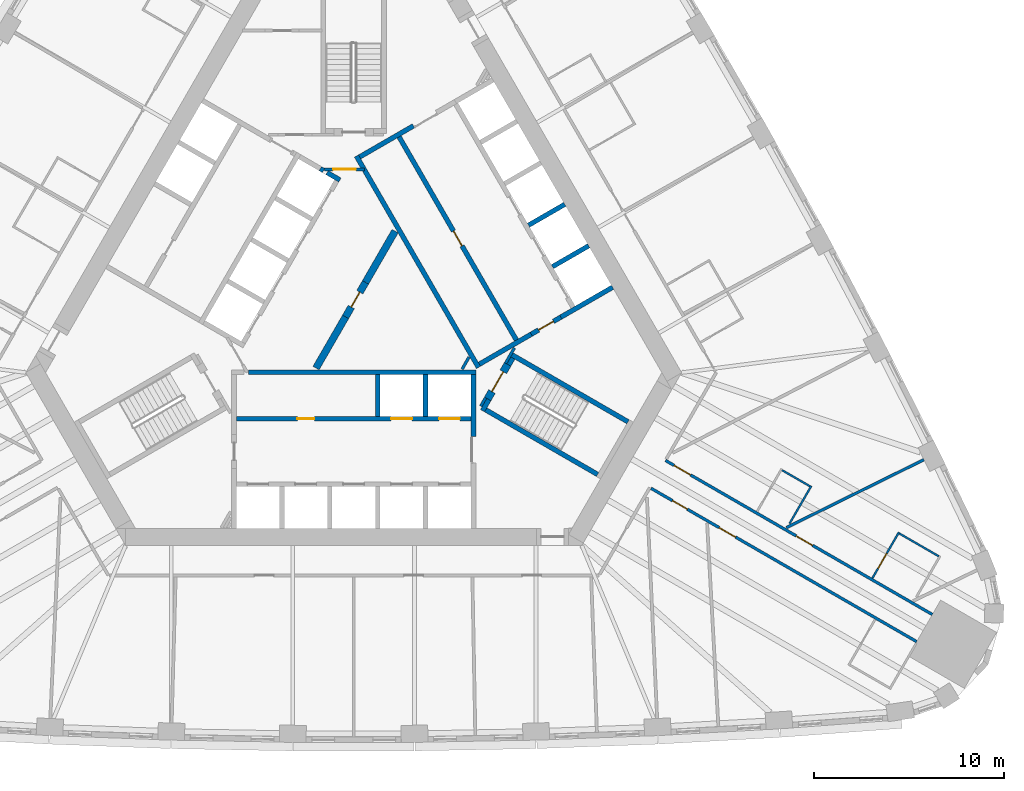
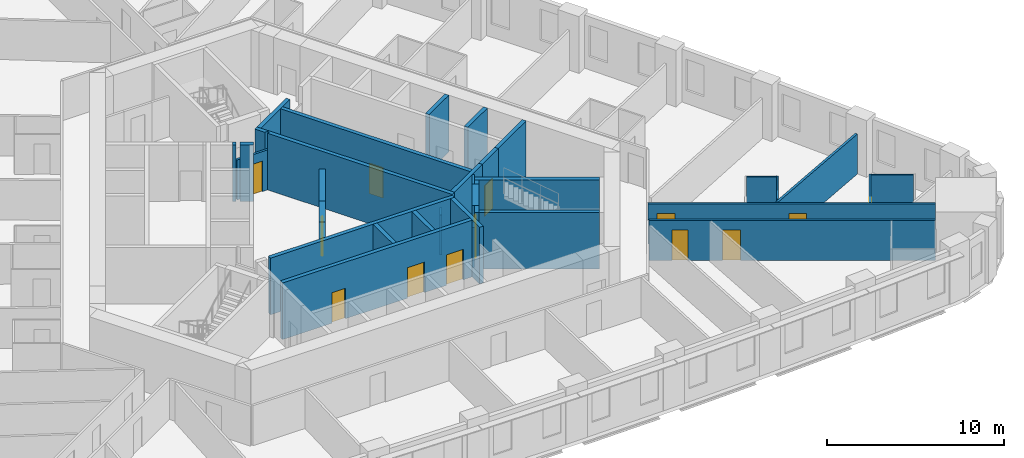
# One storey, part 7 of 12: 34 walls, 13 doors, 13 openings.
"""IFC4 building model written with IfcOpenShell, lengths in metres."""

import ifcopenshell
import ifcopenshell.guid

model = None  # the IFC model being written
_history = None  # IfcOwnerHistory: only IFC2X3 demands one
_inside = {}  # id of a spatial element -> (the spatial element, [elements in it])
_under = {}  # id of a project, library or spatial element -> (it, [spatial elements below it])
_declared = {}  # id of a project -> (the project, [libraries it declares])
_typed = {}  # id of a type object -> (the type object, [elements of that type])
_made_of = {}  # id of a material, layer set ... -> (it, [elements and type objects made of it])


def new_model(schema):
    """Start an empty IFC model of exactly this schema.

    Asked for "IFC4X3", IfcOpenShell would pick the latest addendum, in which some entities
    have other attributes; the version numbers below select the first issue.
    IFC2X3 requires an IfcOwnerHistory on every rooted entity: one is made here for all.
    """
    global model, _history
    if schema == "IFC4X3":
        model = ifcopenshell.file(schema_version=(4, 3, 0, 0))
    else:
        model = ifcopenshell.file(schema=schema)
    _inside.clear()
    _under.clear()
    _declared.clear()
    _typed.clear()
    _made_of.clear()
    _history = None
    if model.schema == "IFC2X3":
        org = make("IfcOrganization", Name="unknown")
        user = make(
            "IfcPersonAndOrganization",
            ThePerson=make("IfcPerson", FamilyName="unknown"),
            TheOrganization=org,
        )
        app = make(
            "IfcApplication",
            ApplicationDeveloper=org,
            Version="unknown",
            ApplicationFullName="unknown",
            ApplicationIdentifier="unknown",
        )
        _history = make(
            "IfcOwnerHistory",
            OwningUser=user,
            OwningApplication=app,
            ChangeAction="ADDED",
            CreationDate=0,
        )
    return model


def make(cls, **values):
    """One entity of the class cls with the attributes given. An attribute that is None is left unset."""
    return model.create_entity(
        cls, **{name: value for name, value in values.items() if value is not None}
    )


def rooted(cls, **values):
    """An entity with a GlobalId (a new one), such as an element, a storey or a relation."""
    return make(cls, GlobalId=ifcopenshell.guid.new(), OwnerHistory=_history, **values)


def si_unit(unit_type, name, prefix=None):
    """IfcSIUnit, for example si_unit("LENGTHUNIT", "METRE", prefix="MILLI")."""
    return make("IfcSIUnit", UnitType=unit_type, Prefix=prefix, Name=name)


def assignment(units):
    """IfcUnitAssignment: the units of a project."""
    return None if units is None else make("IfcUnitAssignment", Units=units)


def point(xyz):
    """IfcCartesianPoint."""
    return None if xyz is None else make("IfcCartesianPoint", Coordinates=xyz)


def direction(xyz):
    """IfcDirection."""
    return None if xyz is None else make("IfcDirection", DirectionRatios=xyz)


def frame(location, z_axis=None, x_axis=None):
    """IfcAxis2Placement3D, a coordinate frame: its origin and axes. An axis left out is left unset."""
    return make(
        "IfcAxis2Placement3D",
        Location=point(location),
        Axis=direction(z_axis),
        RefDirection=direction(x_axis),
    )


def frame_2d(location, x_axis=None):
    """IfcAxis2Placement2D, a coordinate frame in the plane: its origin and x axis."""
    return make(
        "IfcAxis2Placement2D", Location=point(location), RefDirection=direction(x_axis)
    )


def origin():
    """The frame at (0, 0, 0) with its axes left unset."""
    return frame((0.0, 0.0, 0.0))


def place(relative_to, where):
    """IfcLocalPlacement: puts the frame where relative to a parent placement (None: the world)."""
    return make(
        "IfcLocalPlacement", PlacementRelTo=relative_to, RelativePlacement=where
    )


def context(
    kind, dimensions, precision=None, world=None, true_north=None, identifier=None
):
    """IfcGeometricRepresentationContext, for example the 3D "Model" context."""
    return make(
        "IfcGeometricRepresentationContext",
        ContextIdentifier=identifier,
        ContextType=kind,
        CoordinateSpaceDimension=dimensions,
        Precision=precision,
        WorldCoordinateSystem=world,
        TrueNorth=true_north,
    )


def subcontext(parent, identifier, kind, view, scale=None):
    """IfcGeometricRepresentationSubContext, for example "Body" below "Model"."""
    return make(
        "IfcGeometricRepresentationSubContext",
        ContextIdentifier=identifier,
        ContextType=kind,
        ParentContext=parent,
        TargetScale=scale,
        TargetView=view,
    )


def project(units=None, contexts=None):
    """IfcProject with its units and contexts."""
    return rooted(
        "IfcProject",
        Name="project",
        RepresentationContexts=contexts,
        UnitsInContext=assignment(units),
    )


def spatial(cls, under=None, at=None, **own):
    """A site, building, storey or space (cls), placed at a placement, below another one or the project."""
    s = rooted(cls, ObjectPlacement=at, **own)
    if under is not None:
        _under.setdefault(under.id(), (under, []))[1].append(s)
    return s


def polyline(points):
    """IfcPolyline through the points."""
    return make("IfcPolyline", Points=[point(p) for p in points])


def profile(cls, at=None, kind="AREA", **sizes):
    """A parametric profile (cls). Its sizes go by their IFC names, for example OverallWidth=200.0."""
    return make(cls, ProfileType=kind, Position=at, **sizes)


def rectangle(**sizes):
    """IfcRectangleProfileDef."""
    return profile("IfcRectangleProfileDef", **sizes)


def outline(outer, holes=None, kind="AREA"):
    """IfcArbitraryClosedProfileDef: a profile drawn as a closed curve; with holes, ...WithVoids."""
    if holes is None:
        return make("IfcArbitraryClosedProfileDef", ProfileType=kind, OuterCurve=outer)
    return make(
        "IfcArbitraryProfileDefWithVoids",
        ProfileType=kind,
        OuterCurve=outer,
        InnerCurves=holes,
    )


def extrude(swept, where, along, depth):
    """IfcExtrudedAreaSolid: the profile swept, set in the frame where, extruded along a direction by depth."""
    return make(
        "IfcExtrudedAreaSolid",
        SweptArea=swept,
        Position=where,
        ExtrudedDirection=direction(along),
        Depth=depth,
    )


def shape(context_of_items, identifier, shape_type, items):
    """IfcShapeRepresentation: the items that make up one representation, for example the "Body"."""
    return make(
        "IfcShapeRepresentation",
        ContextOfItems=context_of_items,
        RepresentationIdentifier=identifier,
        RepresentationType=shape_type,
        Items=items,
    )


def material(Name=None, Category=None):
    """IfcMaterial."""
    return make("IfcMaterial", Name=Name, Category=Category)


def layer(
    of_material, thickness, ventilated=None, Name=None, Category=None, Priority=None
):
    """IfcMaterialLayer: one layer of a wall or slab, of a material (None: an air gap)."""
    return make(
        "IfcMaterialLayer",
        Material=of_material,
        LayerThickness=thickness,
        IsVentilated=ventilated,
        Name=Name,
        Category=Category,
        Priority=Priority,
    )


def layer_set(layers, Name=None):
    """IfcMaterialLayerSet."""
    return make("IfcMaterialLayerSet", MaterialLayers=layers, LayerSetName=Name)


def made_of(thing, what):
    """Note that an element or type object is made of a material, layer set ...; save() writes the relation."""
    if what is not None:
        _made_of.setdefault(what.id(), (what, []))[1].append(thing)
    return thing


def type_object(cls, material=None, **own):
    """A type object (cls), such as IfcWallType, which elements share."""
    return made_of(rooted(cls, **own), material)


def element(
    cls,
    number,
    at=None,
    inside=None,
    cuts=None,
    type_object=None,
    material=None,
    context=None,
    identifier="Body",
    shape_type=None,
    held_by="IfcProductDefinitionShape",
    body=None,
    shapes=None,
    **own,
):
    """One element of the class cls, such as IfcWall. Its Tag is "e" and its number.

    at: its placement. inside: the storey or other place that contains it. cuts: it is an
    opening in that element (IfcRelVoidsElement). A single representation is given by context,
    identifier, shape_type and body (its items); several are given by shapes. held_by: the class
    of the entity that holds the representations. save() writes the other relations.
    """
    e = rooted(cls, Tag="e%d" % number, ObjectPlacement=at, **own)
    if body is not None:
        shapes = [shape(context, identifier, shape_type, body)]
    if shapes is not None:
        e.Representation = make(held_by, Representations=shapes)
    if inside is not None:
        _inside.setdefault(inside.id(), (inside, []))[1].append(e)
    if cuts is not None:
        rooted(
            "IfcRelVoidsElement", RelatingBuildingElement=cuts, RelatedOpeningElement=e
        )
    if type_object is not None:
        _typed.setdefault(type_object.id(), (type_object, []))[1].append(e)
    return made_of(e, material)


def fill(opening, filler):
    """IfcRelFillsElement: the door or window that sits in an opening."""
    return rooted(
        "IfcRelFillsElement",
        RelatingOpeningElement=opening,
        RelatedBuildingElement=filler,
    )


def aggregate(whole, parts):
    """IfcRelAggregates: a whole, such as a stair, and the parts it consists of."""
    return rooted("IfcRelAggregates", RelatingObject=whole, RelatedObjects=parts)


def save(model, path):
    """Write the relations noted so far, then the file.

    IfcRelAggregates (storeys below a building ...), IfcRelContainedInSpatialStructure (elements
    in a storey), IfcRelDefinesByType, IfcRelAssociatesMaterial and IfcRelDeclares: one each for
    every whole, place, type object, material and project.
    """
    for whole, parts in _under.values():
        aggregate(whole, parts)
    for where, things in _inside.values():
        rooted(
            "IfcRelContainedInSpatialStructure",
            RelatedElements=things,
            RelatingStructure=where,
        )
    for kind, things in _typed.values():
        rooted("IfcRelDefinesByType", RelatedObjects=things, RelatingType=kind)
    for what, things in _made_of.values():
        rooted("IfcRelAssociatesMaterial", RelatedObjects=things, RelatingMaterial=what)
    for by, libraries in _declared.values():
        rooted("IfcRelDeclares", RelatingContext=by, RelatedDefinitions=libraries)
    model.write(path)


model = new_model("IFC4")

# Units and contexts
model_context = context("Model", 3, precision=1e-05, world=origin(), true_north=direction((0.0, 1.0)))
body_context = subcontext(model_context, "Body", "Model", "MODEL_VIEW")
ifc_project = project(units=[si_unit("LENGTHUNIT", "METRE"), si_unit("AREAUNIT", "SQUARE_METRE"), si_unit("VOLUMEUNIT", "CUBIC_METRE"), si_unit("PLANEANGLEUNIT", "RADIAN"), si_unit("MASSUNIT", "GRAM", prefix="KILO")], contexts=[model_context])

# Site, building, storey
site_placement = place(None, origin())
site = spatial("IfcSite", under=ifc_project, at=site_placement, CompositionType="ELEMENT")
building_placement = place(site_placement, origin())
building = spatial("IfcBuilding", under=site, at=building_placement, Name="Mestral Congress Tower", CompositionType="ELEMENT")
storey_placement = place(building_placement, frame((0.0, 0.0, 39.300048828125)))
storey = spatial("IfcBuildingStorey", under=building, at=storey_placement, Name="L08", CompositionType="ELEMENT", Elevation=39.300048828125)

# Walls
ifc_material_1 = material(Name="Fire-rated board partition")
ifc_layer_1 = layer(ifc_material_1, 0.14990234375)
ifc_layer_set_1 = layer_set([ifc_layer_1], Name="Fire-rated board partition")
wall_type_1 = type_object("IfcWallType", Name="Core partition 150", PredefinedType="PARTITIONING", material=ifc_layer_set_1)
wall_1_placement = place(storey_placement, frame((6.94482421875, -5.22216796875, 0.0), z_axis=(0.0, 0.0, 1.0), x_axis=(-0.499818422106, -0.866130212453, 0.0)))
element("IfcWall", 1, at=wall_1_placement, inside=storey, type_object=wall_type_1, Name="L08 core wall", PredefinedType="PARTITIONING", context=body_context, shape_type="SweptSolid", body=[
    extrude(rectangle(XDim=0.513916015625, YDim=0.14990234375, at=frame_2d((0.2568359375, 0.0))), origin(), (0.0, 0.0, 1.0), 2.75),
])
wall_2_placement = place(storey_placement, frame((5.704833984375, -3.718017578125, 0.0), z_axis=(0.0, 0.0, 1.0), x_axis=(0.499962090823, 0.866047289552, 0.0)))
element("IfcWall", 2, at=wall_2_placement, inside=storey, type_object=wall_type_1, Name="L08 core wall", PredefinedType="PARTITIONING", context=body_context, shape_type="SweptSolid", body=[
    extrude(rectangle(XDim=0.73486328125, YDim=0.14990234375, at=frame_2d((0.367431640625, 0.0))), origin(), (0.0, 0.0, 1.0), 2.75),
])
placement = place(storey_placement, origin())
element("IfcWall", 3, at=placement, inside=storey, type_object=wall_type_1, Name="L08 core wall", PredefinedType="PARTITIONING", context=body_context, shape_type="SweptSolid", body=[
    extrude(outline(polyline([(-0.590087890625, -0.871826171875), (-0.26513671875, -1.059326171875), (-1.822021484375, -3.755615234375), (-2.146728515625, -3.568115234375), (-0.590087890625, -0.871826171875)])), origin(), (0.0, 0.0, 1.0), 2.75),
])
element("IfcWall", 4, at=placement, inside=storey, type_object=wall_type_1, Name="L08 core wall", PredefinedType="PARTITIONING", context=body_context, shape_type="SweptSolid", body=[
    extrude(outline(polyline([(2.016845703125, 3.64306640625), (2.341552734375, 3.45556640625), (0.784912109375, 0.759521484375), (0.460205078125, 0.947021484375), (2.016845703125, 3.64306640625)])), origin(), (0.0, 0.0, 1.0), 2.75),
])

# Wall, opening, door
wall_5_placement = place(storey_placement, frame((-1.534423828125, 6.800048828125, 0.0), z_axis=(0.0, 0.0, 1.0), x_axis=(1.0, 0.0, 0.0)))
wall_5 = element("IfcWall", 5, at=wall_5_placement, inside=storey, type_object=wall_type_1, Name="L08 door wall", PredefinedType="PARTITIONING", context=body_context, shape_type="SweptSolid", body=[
    extrude(rectangle(XDim=2.099853515625, YDim=0.14990234375, at=frame_2d((1.0498046875, 0.0))), origin(), (0.0, 0.0, 1.0), 2.75),
])
opening_1_placement = place(wall_5_placement, frame((0.449951171875, 0.0, 0.0)))
opening_1 = element("IfcOpeningElement", 6, at=opening_1_placement, cuts=wall_5, Name="Opening CD2-FF", PredefinedType="OPENING", context=body_context, shape_type="SweptSolid", body=[
    extrude(rectangle(XDim=1.199951171875, YDim=2.10009765625, at=frame_2d((0.60009765625, 1.050048828125))), frame((0.0, 0.0849609375, 0.0), z_axis=(0.0, -1.0, 0.0), x_axis=(1.0, 0.0, 0.0)), (0.0, 0.0, 1.0), 0.169921875),
])
ifc_material_2 = material(Name="Fire-rated steel door set", Category="steel")
door_type_1 = type_object("IfcDoorType", Name="Core door CD 1200x2100", OperationType="SINGLE_SWING_LEFT", PredefinedType="DOOR", material=ifc_material_2)
door_1_placement = place(opening_1_placement, origin())
door_1 = element("IfcDoor", 7, at=door_1_placement, inside=storey, type_object=door_type_1, Name="Door CD2-FF", OperationType="SINGLE_SWING_LEFT", OverallHeight=2.10009765625, OverallWidth=1.199951171875, PredefinedType="DOOR", context=body_context, shape_type="SweptSolid", body=[
    extrude(rectangle(XDim=1.199951171875, YDim=2.10009765625, at=frame_2d((0.60009765625, 1.050048828125))), frame((0.0, 0.02490234375, 0.0), z_axis=(0.0, -1.0, 0.0), x_axis=(1.0, 0.0, 0.0)), (0.0, 0.0, 1.0), 0.050048828125),
])
fill(opening_1, door_1)

ifc_layer_2 = layer(ifc_material_1, 0.375)
ifc_layer_set_2 = layer_set([ifc_layer_2], Name="Fire-rated board partition")
wall_type_2 = type_object("IfcWallType", Name="Core partition 150 door-wall 375", PredefinedType="PARTITIONING", material=ifc_layer_set_2)
wall_6_placement = place(storey_placement, frame((-0.427490234375, -0.965576171875, 0.0), z_axis=(0.0, 0.0, 1.0), x_axis=(0.49994051562, 0.866059744384, 0.0)))
wall_6 = element("IfcWall", 8, at=wall_6_placement, inside=storey, type_object=wall_type_2, Name="L08 door wall", PredefinedType="PARTITIONING", context=body_context, shape_type="SweptSolid", body=[
    extrude(rectangle(XDim=2.099853515625, YDim=0.375, at=frame_2d((1.0498046875, 0.0))), origin(), (0.0, 0.0, 1.0), 2.75),
])
opening_2_placement = place(wall_6_placement, frame((0.60009765625, 0.0, 0.0)))
opening_2 = element("IfcOpeningElement", 9, at=opening_2_placement, cuts=wall_6, Name="Opening CD1-HUB0", PredefinedType="OPENING", context=body_context, shape_type="SweptSolid", body=[
    extrude(rectangle(XDim=0.89990234375, YDim=2.10009765625, at=frame_2d((0.449951171875, 1.050048828125))), frame((0.0, 0.197509765625, 0.0), z_axis=(0.0, -1.0, 0.0), x_axis=(1.0, 0.0, 0.0)), (0.0, 0.0, 1.0), 0.39501953125),
])
door_type_2 = type_object("IfcDoorType", Name="Core door CD 900x2100", OperationType="SINGLE_SWING_LEFT", PredefinedType="DOOR", material=ifc_material_2)
door_2_placement = place(opening_2_placement, origin())
door_2 = element("IfcDoor", 10, at=door_2_placement, inside=storey, type_object=door_type_2, Name="Door CD1-HUB0", OperationType="SINGLE_SWING_LEFT", OverallHeight=2.10009765625, OverallWidth=0.89990234375, PredefinedType="DOOR", context=body_context, shape_type="SweptSolid", body=[
    extrude(rectangle(XDim=0.89990234375, YDim=2.10009765625, at=frame_2d((0.449951171875, 1.050048828125))), frame((0.0, 0.02490234375, 0.0), z_axis=(0.0, -1.0, 0.0), x_axis=(1.0, 0.0, 0.0)), (0.0, 0.0, 1.0), 0.050048828125),
])
fill(opening_2, door_2)

ifc_material_3 = material(Name="Gypsum board partition on metal studs with mineral wool", Category="composite")
ifc_layer_3 = layer(ifc_material_3, 0.10009765625)
ifc_layer_set_3 = layer_set([ifc_layer_3], Name="Gypsum board partition on metal studs with mineral wool")
wall_type_3 = type_object("IfcWallType", Name="Hotel partition wall 100", PredefinedType="PARTITIONING", material=ifc_layer_set_3)
wall_7_placement = place(storey_placement, frame((28.7041015625, -12.300048828125, 0.0), z_axis=(0.0, 0.0, 1.0), x_axis=(-0.49998411664, -0.866034573852, 0.0)))
wall_7 = element("IfcWall", 11, at=wall_7_placement, inside=storey, type_object=wall_type_3, Name="L08-h-pod10a", PredefinedType="PARTITIONING", context=body_context, shape_type="SweptSolid", body=[
    extrude(rectangle(XDim=2.7998046875, YDim=0.10009765625, at=frame_2d((1.39990234375, 0.0))), origin(), (0.0, 0.0, 1.0), 2.75),
])
opening_3_placement = place(wall_7_placement, frame((1.300048828125, 0.0, 0.0)))
opening_3 = element("IfcOpeningElement", 12, at=opening_3_placement, cuts=wall_7, Name="Opening H02-013", PredefinedType="OPENING", context=body_context, shape_type="SweptSolid", body=[
    extrude(rectangle(XDim=0.89990234375, YDim=2.10009765625, at=frame_2d((0.449951171875, 1.050048828125))), frame((0.0, 0.06005859375, 0.0), z_axis=(0.0, -1.0, 0.0), x_axis=(1.0, 0.0, 0.0)), (0.0, 0.0, 1.0), 0.1201171875),
])
ifc_material_4 = material(Name="Timber veneer door leaf in timber frame", Category="wood")
door_type_3 = type_object("IfcDoorType", Name="Bathroom door 900", OperationType="SINGLE_SWING_LEFT", PredefinedType="DOOR", material=ifc_material_4)
door_3_placement = place(opening_3_placement, origin())
door_3 = element("IfcDoor", 13, at=door_3_placement, inside=storey, type_object=door_type_3, Name="L08-h-d013", OperationType="SINGLE_SWING_LEFT", OverallHeight=2.10009765625, OverallWidth=0.89990234375, PredefinedType="DOOR", context=body_context, shape_type="SweptSolid", body=[
    extrude(rectangle(XDim=0.89990234375, YDim=2.10009765625, at=frame_2d((0.449951171875, 1.050048828125))), frame((0.0, 0.02490234375, 0.0), z_axis=(0.0, -1.0, 0.0), x_axis=(1.0, 0.0, 0.0)), (0.0, 0.0, 1.0), 0.050048828125),
])
fill(opening_3, door_3)

# Walls
wall_8_placement = place(storey_placement, frame((28.722412109375, -12.368408203125, 0.0), z_axis=(0.0, 0.0, 1.0), x_axis=(0.866050077142, -0.499957262057, 0.0)))
element("IfcWall", 14, at=wall_8_placement, inside=storey, type_object=wall_type_3, Name="L08-h-pod10b", PredefinedType="PARTITIONING", context=body_context, shape_type="SweptSolid", body=[
    extrude(rectangle(XDim=2.400146484375, YDim=0.10009765625, at=frame_2d((1.2001953125, 0.0))), origin(), (0.0, 0.0, 1.0), 2.75),
])
wall_9_placement = place(storey_placement, frame((22.548583984375, -9.03466796875, 0.0), z_axis=(0.0, 0.0, 1.0), x_axis=(0.86605165483, -0.499954529098, 0.0)))
element("IfcWall", 15, at=wall_9_placement, inside=storey, type_object=wall_type_3, Name="L08-h-pod11b", PredefinedType="PARTITIONING", context=body_context, shape_type="SweptSolid", body=[
    extrude(rectangle(XDim=1.699951171875, YDim=0.10009765625, at=frame_2d((0.85009765625, 0.0))), origin(), (0.0, 0.0, 1.0), 2.75),
])
wall_10_placement = place(storey_placement, frame((22.944091796875, -11.849609375, 0.0), z_axis=(0.0, 0.0, 1.0), x_axis=(0.499968531483, 0.866043571379, 0.0)))
element("IfcWall", 16, at=wall_10_placement, inside=storey, type_object=wall_type_3, Name="L08-h-pod11c", PredefinedType="PARTITIONING", context=body_context, shape_type="SweptSolid", body=[
    extrude(rectangle(XDim=2.290283203125, YDim=0.10009765625, at=frame_2d((1.14501953125, 0.0))), origin(), (0.0, 0.0, 1.0), 2.75),
])

# Wall, openings, doors
ifc_layer_4 = layer(ifc_material_3, 0.14990234375)
ifc_layer_set_4 = layer_set([ifc_layer_4], Name="Gypsum board partition on metal studs with mineral wool")
wall_type_4 = type_object("IfcWallType", Name="Hotel partition wall 150", PredefinedType="PARTITIONING", material=ifc_layer_set_4)
wall_11_placement = place(storey_placement, frame((16.412353515625, -8.52294921875, 0.0), z_axis=(0.0, 0.0, 1.0), x_axis=(0.866022197818, -0.500005552856, 0.0)))
wall_11 = element("IfcWall", 17, at=wall_11_placement, inside=storey, type_object=wall_type_4, Name="L08-h-cw01", PredefinedType="PARTITIONING", context=body_context, shape_type="SweptSolid", body=[
    extrude(rectangle(XDim=16.223876953125, YDim=0.14990234375, at=frame_2d((8.11181640625, 0.0))), origin(), (0.0, 0.0, 1.0), 2.75),
])
opening_4_placement = place(wall_11_placement, frame((7.94921875, 0.0, 0.0)))
opening_4 = element("IfcOpeningElement", 18, at=opening_4_placement, cuts=wall_11, Name="Opening H02-012", PredefinedType="OPENING", context=body_context, shape_type="SweptSolid", body=[
    extrude(rectangle(XDim=1.0, YDim=2.10009765625, at=frame_2d((0.5, 1.050048828125))), frame((0.0, 0.0849609375, 0.0), z_axis=(0.0, -1.0, 0.0), x_axis=(1.0, 0.0, 0.0)), (0.0, 0.0, 1.0), 0.169921875),
])
opening_5_placement = place(wall_11_placement, frame((0.526123046875, 0.0, 0.0)))
opening_5 = element("IfcOpeningElement", 19, at=opening_5_placement, cuts=wall_11, Name="Opening H02-014", PredefinedType="OPENING", context=body_context, shape_type="SweptSolid", body=[
    extrude(rectangle(XDim=1.0, YDim=2.10009765625, at=frame_2d((0.5, 1.050048828125))), frame((0.0, 0.0849609375, 0.0), z_axis=(0.0, -1.0, 0.0), x_axis=(1.0, 0.0, 0.0)), (0.0, 0.0, 1.0), 0.169921875),
])
ifc_material_5 = material(Name="Timber veneer door leaf in metal frame", Category="wood")
door_type_4 = type_object("IfcDoorType", Name="Guest room entrance door 1000", OperationType="SINGLE_SWING_LEFT", PredefinedType="DOOR", material=ifc_material_5)
door_4_placement = place(opening_4_placement, origin())
door_4 = element("IfcDoor", 20, at=door_4_placement, inside=storey, type_object=door_type_4, Name="L08-h-d012", OperationType="SINGLE_SWING_LEFT", OverallHeight=2.10009765625, OverallWidth=1.0, PredefinedType="DOOR", context=body_context, shape_type="SweptSolid", body=[
    extrude(rectangle(XDim=1.0, YDim=2.10009765625, at=frame_2d((0.5, 1.050048828125))), frame((0.0, 0.02490234375, 0.0), z_axis=(0.0, -1.0, 0.0), x_axis=(1.0, 0.0, 0.0)), (0.0, 0.0, 1.0), 0.050048828125),
])
fill(opening_4, door_4)
door_5_placement = place(opening_5_placement, origin())
door_5 = element("IfcDoor", 21, at=door_5_placement, inside=storey, type_object=door_type_4, Name="L08-h-d014", OperationType="SINGLE_SWING_LEFT", OverallHeight=2.10009765625, OverallWidth=1.0, PredefinedType="DOOR", context=body_context, shape_type="SweptSolid", body=[
    extrude(rectangle(XDim=1.0, YDim=2.10009765625, at=frame_2d((0.5, 1.050048828125))), frame((0.0, 0.02490234375, 0.0), z_axis=(0.0, -1.0, 0.0), x_axis=(1.0, 0.0, 0.0)), (0.0, 0.0, 1.0), 0.050048828125),
])
fill(opening_5, door_5)

wall_12_placement = place(storey_placement, frame((29.6376953125, -18.06396484375, 0.0), z_axis=(0.0, 0.0, 1.0), x_axis=(-0.866026175601, 0.499998663172, 0.0)))
wall_12 = element("IfcWall", 22, at=wall_12_placement, inside=storey, type_object=wall_type_4, Name="L08-h-cw15", PredefinedType="PARTITIONING", context=body_context, shape_type="SweptSolid", body=[
    extrude(rectangle(XDim=16.14404296875, YDim=0.14990234375, at=frame_2d((8.072021484375, 0.0))), origin(), (0.0, 0.0, 1.0), 2.75),
])
opening_6_placement = place(wall_12_placement, frame((13.9482421875, 0.0, 0.0)))
opening_6 = element("IfcOpeningElement", 23, at=opening_6_placement, cuts=wall_12, Name="Opening H02-009", PredefinedType="OPENING", context=body_context, shape_type="SweptSolid", body=[
    extrude(rectangle(XDim=0.89990234375, YDim=2.10009765625, at=frame_2d((0.449951171875, 1.050048828125))), frame((0.0, 0.0849609375, 0.0), z_axis=(0.0, -1.0, 0.0), x_axis=(1.0, 0.0, 0.0)), (0.0, 0.0, 1.0), 0.169921875),
])
opening_7_placement = place(wall_12_placement, frame((11.003662109375, 0.0, 0.0)))
opening_7 = element("IfcOpeningElement", 24, at=opening_7_placement, cuts=wall_12, Name="Opening H02-010", PredefinedType="OPENING", context=body_context, shape_type="SweptSolid", body=[
    extrude(rectangle(XDim=1.0, YDim=2.10009765625, at=frame_2d((0.5, 1.050048828125))), frame((0.0, 0.0849609375, 0.0), z_axis=(0.0, -1.0, 0.0), x_axis=(1.0, 0.0, 0.0)), (0.0, 0.0, 1.0), 0.169921875),
])
door_6_placement = place(opening_7_placement, origin())
door_6 = element("IfcDoor", 25, at=door_6_placement, inside=storey, type_object=door_type_4, Name="L08-h-d010", OperationType="SINGLE_SWING_RIGHT", OverallHeight=2.10009765625, OverallWidth=1.0, PredefinedType="DOOR", context=body_context, shape_type="SweptSolid", body=[
    extrude(rectangle(XDim=1.0, YDim=2.10009765625, at=frame_2d((0.5, 1.050048828125))), frame((0.0, 0.02490234375, 0.0), z_axis=(0.0, -1.0, 0.0), x_axis=(1.0, 0.0, 0.0)), (0.0, 0.0, 1.0), 0.050048828125),
])
fill(opening_7, door_6)
door_type_5 = type_object("IfcDoorType", Name="Service room door 900", OperationType="SINGLE_SWING_LEFT", PredefinedType="DOOR", material=ifc_material_5)
door_7_placement = place(opening_6_placement, origin())
door_7 = element("IfcDoor", 26, at=door_7_placement, inside=storey, type_object=door_type_5, Name="L08-h-d009", OperationType="SINGLE_SWING_RIGHT", OverallHeight=2.10009765625, OverallWidth=0.89990234375, PredefinedType="DOOR", context=body_context, shape_type="SweptSolid", body=[
    extrude(rectangle(XDim=0.89990234375, YDim=2.10009765625, at=frame_2d((0.449951171875, 1.050048828125))), frame((0.0, 0.02490234375, 0.0), z_axis=(0.0, -1.0, 0.0), x_axis=(1.0, 0.0, 0.0)), (0.0, 0.0, 1.0), 0.050048828125),
])
fill(opening_6, door_7)

# Walls
wall_13_placement = place(storey_placement, frame((30.017578125, -8.48291015625, 0.0), z_axis=(0.0, 0.0, 1.0), x_axis=(-0.896544505264, -0.44295366584, 0.0)))
element("IfcWall", 27, at=wall_13_placement, inside=storey, type_object=wall_type_4, Name="L08-h-pw26", PredefinedType="PARTITIONING", context=body_context, shape_type="SweptSolid", body=[
    extrude(rectangle(XDim=8.078857421875, YDim=0.14990234375, at=frame_2d((4.03955078125, 0.0))), origin(), (0.0, 0.0, 1.0), 2.75),
])
ifc_material_6 = material(Name="Concrete C60/75", Category="concrete")
ifc_layer_5 = layer(ifc_material_6, 0.25)
ifc_layer_set_5 = layer_set([ifc_layer_5], Name="Concrete C60/75")
wall_type_5 = type_object("IfcWallType", Name="Shaft wall RC 250", PredefinedType="SOLIDWALL", material=ifc_layer_set_5)
wall_14_placement = place(storey_placement, frame((-5.544921875, -3.875, 0.0), z_axis=(0.0, 0.0, 1.0), x_axis=(1.0, 0.0, 0.0)))
element("IfcWall", 28, at=wall_14_placement, inside=storey, type_object=wall_type_5, Name="L08 core wall", PredefinedType="SOLIDWALL", context=body_context, shape_type="SweptSolid", body=[
    extrude(rectangle(XDim=11.969970703125, YDim=0.25, at=frame_2d((5.98486328125, 0.0))), origin(), (0.0, 0.0, 1.0), 3.89990234375),
])
wall_15_placement = place(storey_placement, frame((6.300048828125, -7.26806640625, 0.0), z_axis=(0.0, 0.0, 1.0), x_axis=(0.0, 1.0, 0.0)))
element("IfcWall", 29, at=wall_15_placement, inside=storey, type_object=wall_type_5, Name="L08 core wall", PredefinedType="SOLIDWALL", context=body_context, shape_type="SweptSolid", body=[
    extrude(rectangle(XDim=3.26806640625, YDim=0.25, at=frame_2d((1.634033203125, 0.0))), origin(), (0.0, 0.0, 1.0), 3.89990234375),
])
for number, where, z_axis, x_axis, name in (
    (30, (3.780029296875, -4.0, 0.0), (0.0, 0.0, 1.0), (0.0, -1.0, 0.0), "L08 core wall"),
    (31, (1.260009765625, -4.0, 0.0), (0.0, 0.0, 1.0), (0.0, -1.0, 0.0), "L08 core wall"),
    (32, (10.463623046875, 1.676513671875, 0.0), (0.0, 0.0, 1.0), (0.86605622881, 0.499946605688, 0.0), "L08 core wall"),
):
    element("IfcWall", number, at=place(storey_placement, frame(where, z_axis=z_axis, x_axis=x_axis)), inside=storey, type_object=wall_type_5, Name=name, PredefinedType="SOLIDWALL", context=body_context, shape_type="SweptSolid", body=[
        extrude(rectangle(XDim=2.199951171875, YDim=0.25, at=frame_2d((1.10009765625, 0.0))), origin(), (0.0, 0.0, 1.0), 3.89990234375),
    ])
wall_16_placement = place(storey_placement, frame((13.62890625, 0.593994140625, 0.0), z_axis=(0.0, 0.0, 1.0), x_axis=(-0.86602790099, -0.499995674689, 0.0)))
element("IfcWall", 33, at=wall_16_placement, inside=storey, type_object=wall_type_5, Name="L08 core wall", PredefinedType="SOLIDWALL", context=body_context, shape_type="SweptSolid", body=[
    extrude(rectangle(XDim=3.1455078125, YDim=0.25, at=frame_2d((1.57275390625, 0.0))), origin(), (0.0, 0.0, 1.0), 3.89990234375),
])
element("IfcWall", 34, at=placement, inside=storey, type_object=wall_type_5, Name="L08 core wall", PredefinedType="SOLIDWALL", context=body_context, shape_type="SweptSolid", body=[
    extrude(outline(polyline([(0.565673828125, 6.72509765625), (0.565673828125, 6.875), (0.565673828125, 6.875), (0.5654296875, 6.875), (0.36083984375, 6.875), (0.03515625, 7.439208984375), (0.251708984375, 7.564208984375), (0.376708984375, 7.34765625), (6.551513671875, -3.34765625), (6.676513671875, -3.564208984375), (6.460205078125, -3.689208984375), (0.447509765625, 6.724853515625), (0.5654296875, 6.724853515625), (0.565673828125, 6.724853515625), (0.565673828125, 6.72509765625)])), origin(), (0.0, 0.0, 1.0), 3.89990234375),
])
wall_18_placement = place(storey_placement, frame((0.314208984375, 7.455810546875, 0.0), z_axis=(0.0, 0.0, 1.0), x_axis=(0.866013897511, 0.50001992892, 0.0)))
element("IfcWall", 35, at=wall_18_placement, inside=storey, type_object=wall_type_5, Name="L08 core wall", PredefinedType="SOLIDWALL", context=body_context, shape_type="SweptSolid", body=[
    extrude(rectangle(XDim=3.267822265625, YDim=0.25, at=frame_2d((1.6337890625, 0.0))), origin(), (0.0, 0.0, 1.0), 3.89990234375),
])
wall_19_placement = place(storey_placement, frame((6.614013671875, -3.4560546875, 0.0), z_axis=(0.0, 0.0, 1.0), x_axis=(0.86602447079, 0.500001615989, 0.0)))
element("IfcWall", 36, at=wall_19_placement, inside=storey, type_object=wall_type_5, Name="L08 core wall", PredefinedType="SOLIDWALL", context=body_context, shape_type="SweptSolid", body=[
    extrude(rectangle(XDim=3.154296875, YDim=0.25, at=frame_2d((1.5771484375, 0.0))), origin(), (0.0, 0.0, 1.0), 3.89990234375),
])
wall_20_placement = place(storey_placement, frame((9.20361328125, 3.85888671875, 0.0), z_axis=(0.0, 0.0, 1.0), x_axis=(0.86605622881, 0.499946605688, 0.0)))
element("IfcWall", 37, at=wall_20_placement, inside=storey, type_object=wall_type_5, Name="L08 core wall", PredefinedType="SOLIDWALL", context=body_context, shape_type="SweptSolid", body=[
    extrude(rectangle(XDim=2.199951171875, YDim=0.25, at=frame_2d((1.10009765625, 0.0))), origin(), (0.0, 0.0, 1.0), 3.89990234375),
])
wall_21_placement = place(storey_placement, frame((-1.75830078125, 6.834716796875, 0.0), z_axis=(0.0, 0.0, 1.0), x_axis=(0.865982457891, -0.500074377092, 0.0)))
element("IfcWall", 38, at=wall_21_placement, inside=storey, type_object=wall_type_5, Name="L08 core wall", PredefinedType="SOLIDWALL", context=body_context, shape_type="SweptSolid", body=[
    extrude(rectangle(XDim=0.2001953125, YDim=0.25, at=frame_2d((0.10009765625, 0.0))), origin(), (0.0, 0.0, 1.0), 3.89990234375),
])
wall_22_placement = place(storey_placement, frame((-0.7275390625, 6.23974609375, 0.0), z_axis=(0.0, 0.0, 1.0), x_axis=(-0.865955664968, 0.500120771724, 0.0)))
element("IfcWall", 39, at=wall_22_placement, inside=storey, type_object=wall_type_5, Name="L08 core wall", PredefinedType="SOLIDWALL", context=body_context, shape_type="SweptSolid", body=[
    extrude(rectangle(XDim=0.778076171875, YDim=0.25, at=frame_2d((0.38916015625, 0.0))), origin(), (0.0, 0.0, 1.0), 3.89990234375),
])

# Wall, openings, doors
wall_23_placement = place(storey_placement, frame((-6.175048828125, -6.324951171875, 0.0), z_axis=(0.0, 0.0, 1.0), x_axis=(1.0, 0.0, 0.0)))
wall_23 = element("IfcWall", 40, at=wall_23_placement, inside=storey, type_object=wall_type_5, Name="L08 door wall", PredefinedType="SOLIDWALL", context=body_context, shape_type="SweptSolid", body=[
    extrude(rectangle(XDim=12.35009765625, YDim=0.25, at=frame_2d((6.175048828125, 0.0))), origin(), (0.0, 0.0, 1.0), 3.89990234375),
])
opening_8_placement = place(wall_23_placement, frame((3.205078125, 0.0, 0.0)))
opening_8 = element("IfcOpeningElement", 41, at=opening_8_placement, cuts=wall_23, Name="Opening SR-SOB1", PredefinedType="OPENING", context=body_context, shape_type="SweptSolid", body=[
    extrude(rectangle(XDim=0.89990234375, YDim=2.10009765625, at=frame_2d((0.449951171875, 1.050048828125))), frame((0.0, 0.135009765625, 0.0), z_axis=(0.0, -1.0, 0.0), x_axis=(1.0, 0.0, 0.0)), (0.0, 0.0, 1.0), 0.27001953125),
])
opening_9_placement = place(wall_23_placement, frame((8.14501953125, 0.0, 0.0)))
opening_9 = element("IfcOpeningElement", 42, at=opening_9_placement, cuts=wall_23, Name="Opening LD-SOB4", PredefinedType="OPENING", context=body_context, shape_type="SweptSolid", body=[
    extrude(rectangle(XDim=1.10009765625, YDim=2.10009765625, at=frame_2d((0.550048828125, 1.050048828125))), frame((0.0, 0.135009765625, 0.0), z_axis=(0.0, -1.0, 0.0), x_axis=(1.0, 0.0, 0.0)), (0.0, 0.0, 1.0), 0.27001953125),
])
opening_10_placement = place(wall_23_placement, frame((10.6650390625, 0.0, 0.0)))
opening_10 = element("IfcOpeningElement", 43, at=opening_10_placement, cuts=wall_23, Name="Opening LD-SOB5", PredefinedType="OPENING", context=body_context, shape_type="SweptSolid", body=[
    extrude(rectangle(XDim=1.10009765625, YDim=2.10009765625, at=frame_2d((0.550048828125, 1.050048828125))), frame((0.0, 0.135009765625, 0.0), z_axis=(0.0, -1.0, 0.0), x_axis=(1.0, 0.0, 0.0)), (0.0, 0.0, 1.0), 0.27001953125),
])
door_type_6 = type_object("IfcDoorType", Name="Core door LD 1100x2100", OperationType="DOUBLE_DOOR_SLIDING", PredefinedType="DOOR", material=ifc_material_2)
door_8_placement = place(opening_9_placement, origin())
door_8 = element("IfcDoor", 44, at=door_8_placement, inside=storey, type_object=door_type_6, Name="Door LD-SOB4", OperationType="DOUBLE_DOOR_SLIDING", OverallHeight=2.10009765625, OverallWidth=1.10009765625, PredefinedType="DOOR", context=body_context, shape_type="SweptSolid", body=[
    extrude(rectangle(XDim=1.10009765625, YDim=2.10009765625, at=frame_2d((0.550048828125, 1.050048828125))), frame((0.0, 0.02490234375, 0.0), z_axis=(0.0, -1.0, 0.0), x_axis=(1.0, 0.0, 0.0)), (0.0, 0.0, 1.0), 0.050048828125),
])
fill(opening_9, door_8)
door_9_placement = place(opening_10_placement, origin())
door_9 = element("IfcDoor", 45, at=door_9_placement, inside=storey, type_object=door_type_6, Name="Door LD-SOB5", OperationType="DOUBLE_DOOR_SLIDING", OverallHeight=2.10009765625, OverallWidth=1.10009765625, PredefinedType="DOOR", context=body_context, shape_type="SweptSolid", body=[
    extrude(rectangle(XDim=1.10009765625, YDim=2.10009765625, at=frame_2d((0.550048828125, 1.050048828125))), frame((0.0, 0.02490234375, 0.0), z_axis=(0.0, -1.0, 0.0), x_axis=(1.0, 0.0, 0.0)), (0.0, 0.0, 1.0), 0.050048828125),
])
fill(opening_10, door_9)
door_type_7 = type_object("IfcDoorType", Name="Core door SR 900x2100", OperationType="SINGLE_SWING_LEFT", PredefinedType="DOOR", material=ifc_material_2)
door_10_placement = place(opening_8_placement, origin())
door_10 = element("IfcDoor", 46, at=door_10_placement, inside=storey, type_object=door_type_7, Name="Door SR-SOB1", OperationType="SINGLE_SWING_LEFT", OverallHeight=2.10009765625, OverallWidth=0.89990234375, PredefinedType="DOOR", context=body_context, shape_type="SweptSolid", body=[
    extrude(rectangle(XDim=0.89990234375, YDim=2.10009765625, at=frame_2d((0.449951171875, 1.050048828125))), frame((0.0, 0.02490234375, 0.0), z_axis=(0.0, -1.0, 0.0), x_axis=(1.0, 0.0, 0.0)), (0.0, 0.0, 1.0), 0.050048828125),
])
fill(opening_8, door_10)

# Wall, opening, door
wall_24_placement = place(storey_placement, frame((8.565185546875, -2.185302734375, 0.0), z_axis=(0.0, 0.0, 1.0), x_axis=(-0.499997954832, 0.866026584559, 0.0)))
wall_24 = element("IfcWall", 47, at=wall_24_placement, inside=storey, type_object=wall_type_5, Name="L08 door wall", PredefinedType="SOLIDWALL", context=body_context, shape_type="SweptSolid", body=[
    extrude(rectangle(XDim=12.35009765625, YDim=0.25, at=frame_2d((6.175048828125, 0.0))), origin(), (0.0, 0.0, 1.0), 3.89990234375),
])
opening_11_placement = place(wall_24_placement, frame((5.72509765625, 0.0, 0.0)))
opening_11 = element("IfcOpeningElement", 48, at=opening_11_placement, cuts=wall_24, Name="Opening SR-NEB1", PredefinedType="OPENING", context=body_context, shape_type="SweptSolid", body=[
    extrude(rectangle(XDim=0.89990234375, YDim=2.10009765625, at=frame_2d((0.449951171875, 1.050048828125))), frame((0.0, 0.135009765625, 0.0), z_axis=(0.0, -1.0, 0.0), x_axis=(1.0, 0.0, 0.0)), (0.0, 0.0, 1.0), 0.27001953125),
])
door_11_placement = place(opening_11_placement, origin())
door_11 = element("IfcDoor", 49, at=door_11_placement, inside=storey, type_object=door_type_7, Name="Door SR-NEB1", OperationType="SINGLE_SWING_LEFT", OverallHeight=2.10009765625, OverallWidth=0.89990234375, PredefinedType="DOOR", context=body_context, shape_type="SweptSolid", body=[
    extrude(rectangle(XDim=0.89990234375, YDim=2.10009765625, at=frame_2d((0.449951171875, 1.050048828125))), frame((0.0, 0.02490234375, 0.0), z_axis=(0.0, -1.0, 0.0), x_axis=(1.0, 0.0, 0.0)), (0.0, 0.0, 1.0), 0.050048828125),
])
fill(opening_11, door_11)

wall_25_placement = place(storey_placement, frame((9.345947265625, -1.878662109375, 0.0), z_axis=(0.0, 0.0, 1.0), x_axis=(0.866047807691, 0.499961193289, 0.0)))
wall_25 = element("IfcWall", 50, at=wall_25_placement, inside=storey, type_object=wall_type_5, Name="L08 door wall", PredefinedType="SOLIDWALL", context=body_context, shape_type="SweptSolid", body=[
    extrude(rectangle(XDim=1.800048828125, YDim=0.25, at=frame_2d((0.89990234375, 0.0))), origin(), (0.0, 0.0, 1.0), 3.89990234375),
])
opening_12_placement = place(wall_25_placement, frame((0.449951171875, 0.0, 0.0)))
opening_12 = element("IfcOpeningElement", 51, at=opening_12_placement, cuts=wall_25, Name="Opening TD1", PredefinedType="OPENING", context=body_context, shape_type="SweptSolid", body=[
    extrude(rectangle(XDim=0.89990234375, YDim=2.10009765625, at=frame_2d((0.449951171875, 1.050048828125))), frame((0.0, 0.135009765625, 0.0), z_axis=(0.0, -1.0, 0.0), x_axis=(1.0, 0.0, 0.0)), (0.0, 0.0, 1.0), 0.27001953125),
])
door_12_placement = place(opening_12_placement, origin())
door_12 = element("IfcDoor", 52, at=door_12_placement, inside=storey, type_object=door_type_7, Name="Door TD1", OperationType="SINGLE_SWING_LEFT", OverallHeight=2.10009765625, OverallWidth=0.89990234375, PredefinedType="DOOR", context=body_context, shape_type="SweptSolid", body=[
    extrude(rectangle(XDim=0.89990234375, YDim=2.10009765625, at=frame_2d((0.449951171875, 1.050048828125))), frame((0.0, 0.02490234375, 0.0), z_axis=(0.0, -1.0, 0.0), x_axis=(1.0, 0.0, 0.0)), (0.0, 0.0, 1.0), 0.050048828125),
])
fill(opening_12, door_12)

# Walls
ifc_layer_6 = layer(ifc_material_6, 0.14990234375)
ifc_layer_set_6 = layer_set([ifc_layer_6], Name="Concrete C60/75")
wall_type_6 = type_object("IfcWallType", Name="Shaft wall RC 250 door-wall 150", PredefinedType="SOLIDWALL", material=ifc_layer_set_6)
wall_26_placement = place(storey_placement, frame((8.459228515625, -2.59912109375, 0.0), z_axis=(0.0, 0.0, 1.0), x_axis=(-0.500041054325, -0.866001699761, 0.0)))
element("IfcWall", 53, at=wall_26_placement, inside=storey, type_object=wall_type_6, Name="L08 core wall", PredefinedType="PARTITIONING", context=body_context, shape_type="SweptSolid", body=[
    extrude(rectangle(XDim=0.9287109375, YDim=0.14990234375, at=frame_2d((0.46435546875, 0.0))), origin(), (0.0, 0.0, 1.0), 3.89990234375),
])
ifc_layer_7 = layer(ifc_material_6, 0.25)
ifc_layer_set_7 = layer_set([ifc_layer_7], Name="Concrete C60/75")
wall_type_7 = type_object("IfcWallType", Name="Stair wall RC 250", PredefinedType="SOLIDWALL", material=ifc_layer_set_7)
wall_27_placement = place(storey_placement, frame((12.83984375, -9.2607421875, 0.0), z_axis=(0.0, 0.0, 1.0), x_axis=(-0.866013990052, 0.500019768644, 0.0)))
element("IfcWall", 54, at=wall_27_placement, inside=storey, type_object=wall_type_7, Name="L08 core wall", PredefinedType="SOLIDWALL", context=body_context, shape_type="SweptSolid", body=[
    extrude(rectangle(XDim=6.800048828125, YDim=0.25, at=frame_2d((3.39990234375, 0.0))), origin(), (0.0, 0.0, 1.0), 3.89990234375),
])
wall_28_placement = place(storey_placement, frame((6.780029296875, -5.906494140625, 0.0), z_axis=(0.0, 0.0, 1.0), x_axis=(0.500223362819, 0.865896406789, 0.0)))
element("IfcWall", 55, at=wall_28_placement, inside=storey, type_object=wall_type_7, Name="L08 core wall", PredefinedType="SOLIDWALL", context=body_context, shape_type="SweptSolid", body=[
    extrude(rectangle(XDim=0.675048828125, YDim=0.25, at=frame_2d((0.33740234375, 0.0))), origin(), (0.0, 0.0, 1.0), 3.89990234375),
])
wall_29_placement = place(storey_placement, frame((8.33447265625, -2.96435546875, 0.0), z_axis=(0.0, 0.0, 1.0), x_axis=(0.866016039709, -0.500016218704, 0.0)))
element("IfcWall", 56, at=wall_29_placement, inside=storey, type_object=wall_type_7, Name="L08 core wall", PredefinedType="SOLIDWALL", context=body_context, shape_type="SweptSolid", body=[
    extrude(rectangle(XDim=7.050048828125, YDim=0.25, at=frame_2d((3.52490234375, 0.0))), origin(), (0.0, 0.0, 1.0), 3.89990234375),
])
wall_30_placement = place(storey_placement, frame((8.167724609375, -3.503173828125, 0.0), z_axis=(0.0, 0.0, 1.0), x_axis=(0.49972245349, 0.866185586049, 0.0)))
element("IfcWall", 57, at=wall_30_placement, inside=storey, type_object=wall_type_7, Name="L08 core wall", PredefinedType="SOLIDWALL", context=body_context, shape_type="SweptSolid", body=[
    extrude(rectangle(XDim=0.425048828125, YDim=0.25, at=frame_2d((0.21240234375, 0.0))), origin(), (0.0, 0.0, 1.0), 3.89990234375),
])

# Wall, opening, door
ifc_layer_8 = layer(ifc_material_6, 0.39990234375)
ifc_layer_set_8 = layer_set([ifc_layer_8], Name="Concrete C60/75")
wall_type_8 = type_object("IfcWallType", Name="Stair wall RC 250 door-wall 400", PredefinedType="SOLIDWALL", material=ifc_layer_set_8)
wall_31_placement = place(storey_placement, frame((7.052734375, -5.2841796875, 0.0), z_axis=(0.0, 0.0, 1.0), x_axis=(0.500078061341, 0.865980330357, 0.0)))
wall_31 = element("IfcWall", 58, at=wall_31_placement, inside=storey, type_object=wall_type_8, Name="L08 door wall", PredefinedType="SOLIDWALL", context=body_context, shape_type="SweptSolid", body=[
    extrude(rectangle(XDim=2.099853515625, YDim=0.39990234375, at=frame_2d((1.0498046875, 0.0))), origin(), (0.0, 0.0, 1.0), 3.89990234375),
])
opening_13_placement = place(wall_31_placement, frame((0.449951171875, 0.0, 0.0)))
opening_13 = element("IfcOpeningElement", 59, at=opening_13_placement, cuts=wall_31, Name="Opening ST-D1", PredefinedType="OPENING", context=body_context, shape_type="SweptSolid", body=[
    extrude(rectangle(XDim=1.199951171875, YDim=2.10009765625, at=frame_2d((0.60009765625, 1.050048828125))), frame((0.0, 0.2099609375, 0.0), z_axis=(0.0, -1.0, 0.0), x_axis=(1.0, 0.0, 0.0)), (0.0, 0.0, 1.0), 0.419921875),
])
door_type_8 = type_object("IfcDoorType", Name="Core door ST 1200x2100", OperationType="SINGLE_SWING_LEFT", PredefinedType="DOOR", material=ifc_material_2)
door_13_placement = place(opening_13_placement, origin())
door_13 = element("IfcDoor", 60, at=door_13_placement, inside=storey, type_object=door_type_8, Name="Door ST-D1", OperationType="SINGLE_SWING_LEFT", OverallHeight=2.10009765625, OverallWidth=1.199951171875, PredefinedType="DOOR", context=body_context, shape_type="SweptSolid", body=[
    extrude(rectangle(XDim=1.199951171875, YDim=2.10009765625, at=frame_2d((0.60009765625, 1.050048828125))), frame((0.0, 0.02490234375, 0.0), z_axis=(0.0, -1.0, 0.0), x_axis=(1.0, 0.0, 0.0)), (0.0, 0.0, 1.0), 0.050048828125),
])
fill(opening_13, door_13)

save(model, "model.ifc")
